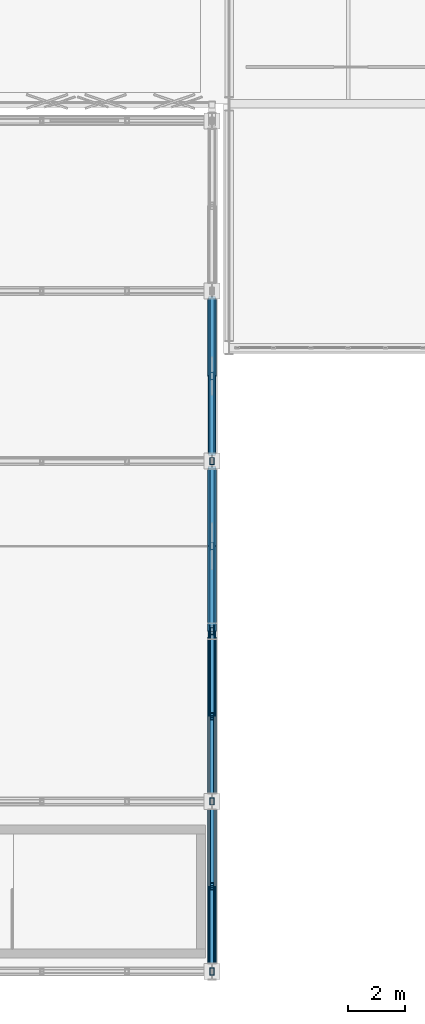
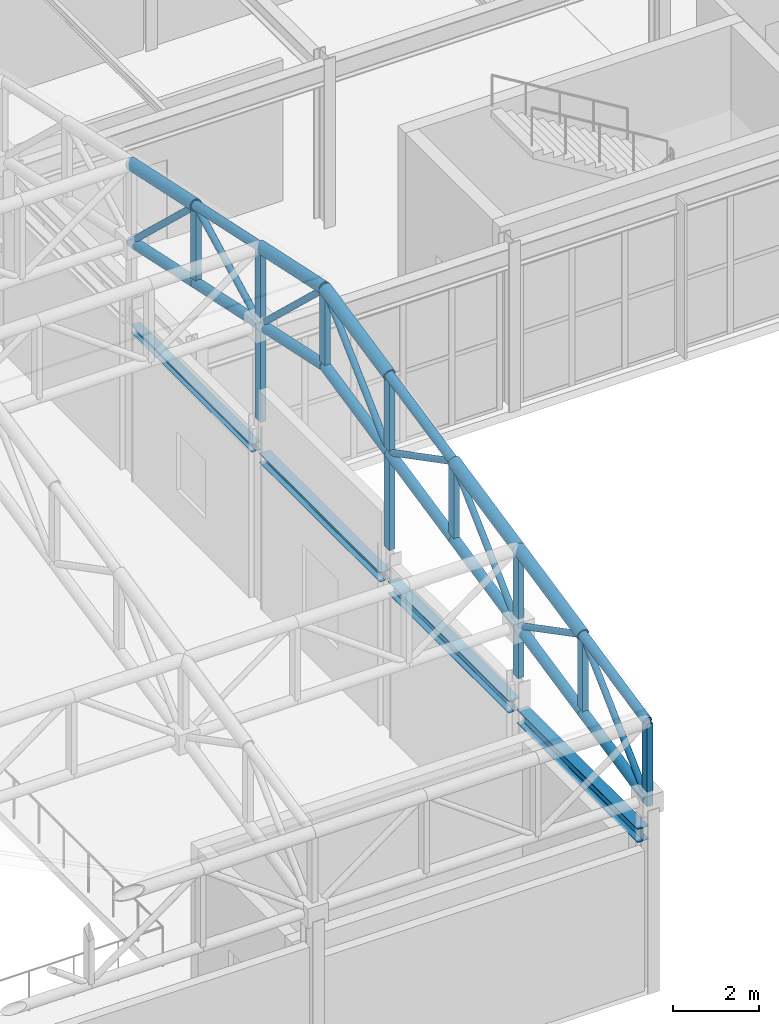
# One storey, part 24 of 112: 32 members, 4 beams.
"""IFC4 building model written with IfcOpenShell, lengths in metres."""

import ifcopenshell
import ifcopenshell.guid

model = None  # the IFC model being written
_history = None  # IfcOwnerHistory: only IFC2X3 demands one
_inside = {}  # id of a spatial element -> (the spatial element, [elements in it])
_under = {}  # id of a project, library or spatial element -> (it, [spatial elements below it])
_declared = {}  # id of a project -> (the project, [libraries it declares])
_typed = {}  # id of a type object -> (the type object, [elements of that type])
_made_of = {}  # id of a material, layer set ... -> (it, [elements and type objects made of it])


def new_model(schema):
    """Start an empty IFC model of exactly this schema.

    Asked for "IFC4X3", IfcOpenShell would pick the latest addendum, in which some entities
    have other attributes; the version numbers below select the first issue.
    IFC2X3 requires an IfcOwnerHistory on every rooted entity: one is made here for all.
    """
    global model, _history
    if schema == "IFC4X3":
        model = ifcopenshell.file(schema_version=(4, 3, 0, 0))
    else:
        model = ifcopenshell.file(schema=schema)
    _inside.clear()
    _under.clear()
    _declared.clear()
    _typed.clear()
    _made_of.clear()
    _history = None
    if model.schema == "IFC2X3":
        org = make("IfcOrganization", Name="unknown")
        user = make(
            "IfcPersonAndOrganization",
            ThePerson=make("IfcPerson", FamilyName="unknown"),
            TheOrganization=org,
        )
        app = make(
            "IfcApplication",
            ApplicationDeveloper=org,
            Version="unknown",
            ApplicationFullName="unknown",
            ApplicationIdentifier="unknown",
        )
        _history = make(
            "IfcOwnerHistory",
            OwningUser=user,
            OwningApplication=app,
            ChangeAction="ADDED",
            CreationDate=0,
        )
    return model


def make(cls, **values):
    """One entity of the class cls with the attributes given. An attribute that is None is left unset."""
    return model.create_entity(
        cls, **{name: value for name, value in values.items() if value is not None}
    )


def rooted(cls, **values):
    """An entity with a GlobalId (a new one), such as an element, a storey or a relation."""
    return make(cls, GlobalId=ifcopenshell.guid.new(), OwnerHistory=_history, **values)


def si_unit(unit_type, name, prefix=None):
    """IfcSIUnit, for example si_unit("LENGTHUNIT", "METRE", prefix="MILLI")."""
    return make("IfcSIUnit", UnitType=unit_type, Prefix=prefix, Name=name)


def assignment(units):
    """IfcUnitAssignment: the units of a project."""
    return None if units is None else make("IfcUnitAssignment", Units=units)


def point(xyz):
    """IfcCartesianPoint."""
    return None if xyz is None else make("IfcCartesianPoint", Coordinates=xyz)


def direction(xyz):
    """IfcDirection."""
    return None if xyz is None else make("IfcDirection", DirectionRatios=xyz)


def frame(location, z_axis=None, x_axis=None):
    """IfcAxis2Placement3D, a coordinate frame: its origin and axes. An axis left out is left unset."""
    return make(
        "IfcAxis2Placement3D",
        Location=point(location),
        Axis=direction(z_axis),
        RefDirection=direction(x_axis),
    )


def frame_2d(location, x_axis=None):
    """IfcAxis2Placement2D, a coordinate frame in the plane: its origin and x axis."""
    return make(
        "IfcAxis2Placement2D", Location=point(location), RefDirection=direction(x_axis)
    )


def origin():
    """The frame at (0, 0, 0) with its axes left unset."""
    return frame((0.0, 0.0, 0.0))


def origin_2d():
    """The frame at (0, 0) in the plane with its x axis left unset."""
    return frame_2d((0.0, 0.0))


def place(relative_to, where):
    """IfcLocalPlacement: puts the frame where relative to a parent placement (None: the world)."""
    return make(
        "IfcLocalPlacement", PlacementRelTo=relative_to, RelativePlacement=where
    )


def context(
    kind, dimensions, precision=None, world=None, true_north=None, identifier=None
):
    """IfcGeometricRepresentationContext, for example the 3D "Model" context."""
    return make(
        "IfcGeometricRepresentationContext",
        ContextIdentifier=identifier,
        ContextType=kind,
        CoordinateSpaceDimension=dimensions,
        Precision=precision,
        WorldCoordinateSystem=world,
        TrueNorth=true_north,
    )


def subcontext(parent, identifier, kind, view, scale=None):
    """IfcGeometricRepresentationSubContext, for example "Body" below "Model"."""
    return make(
        "IfcGeometricRepresentationSubContext",
        ContextIdentifier=identifier,
        ContextType=kind,
        ParentContext=parent,
        TargetScale=scale,
        TargetView=view,
    )


def project(units=None, contexts=None):
    """IfcProject with its units and contexts."""
    return rooted(
        "IfcProject",
        Name="project",
        RepresentationContexts=contexts,
        UnitsInContext=assignment(units),
    )


def spatial(cls, under=None, at=None, **own):
    """A site, building, storey or space (cls), placed at a placement, below another one or the project."""
    s = rooted(cls, ObjectPlacement=at, **own)
    if under is not None:
        _under.setdefault(under.id(), (under, []))[1].append(s)
    return s


def profile(cls, at=None, kind="AREA", **sizes):
    """A parametric profile (cls). Its sizes go by their IFC names, for example OverallWidth=200.0."""
    return make(cls, ProfileType=kind, Position=at, **sizes)


def hollow_rectangle(**sizes):
    """IfcRectangleHollowProfileDef."""
    return profile("IfcRectangleHollowProfileDef", **sizes)


def hollow_circle(**sizes):
    """IfcCircleHollowProfileDef."""
    return profile("IfcCircleHollowProfileDef", **sizes)


def i_section(**sizes):
    """IfcIShapeProfileDef."""
    return profile("IfcIShapeProfileDef", **sizes)


def extrude(swept, where, along, depth):
    """IfcExtrudedAreaSolid: the profile swept, set in the frame where, extruded along a direction by depth."""
    return make(
        "IfcExtrudedAreaSolid",
        SweptArea=swept,
        Position=where,
        ExtrudedDirection=direction(along),
        Depth=depth,
    )


def shape(context_of_items, identifier, shape_type, items):
    """IfcShapeRepresentation: the items that make up one representation, for example the "Body"."""
    return make(
        "IfcShapeRepresentation",
        ContextOfItems=context_of_items,
        RepresentationIdentifier=identifier,
        RepresentationType=shape_type,
        Items=items,
    )


def material(Name=None, Category=None):
    """IfcMaterial."""
    return make("IfcMaterial", Name=Name, Category=Category)


def material_profile(
    of_material, cross_section, Name=None, Category=None, Priority=None
):
    """IfcMaterialProfile: a cross section and its material."""
    return make(
        "IfcMaterialProfile",
        Name=Name,
        Material=of_material,
        Profile=cross_section,
        Priority=Priority,
        Category=Category,
    )


def profile_set(profiles, Name=None, composite=None):
    """IfcMaterialProfileSet."""
    return make(
        "IfcMaterialProfileSet",
        Name=Name,
        MaterialProfiles=profiles,
        CompositeProfile=composite,
    )


def made_of(thing, what):
    """Note that an element or type object is made of a material, layer set ...; save() writes the relation."""
    if what is not None:
        _made_of.setdefault(what.id(), (what, []))[1].append(thing)
    return thing


def type_object(cls, material=None, **own):
    """A type object (cls), such as IfcWallType, which elements share."""
    return made_of(rooted(cls, **own), material)


def element(
    cls,
    number,
    at=None,
    inside=None,
    cuts=None,
    type_object=None,
    material=None,
    context=None,
    identifier="Body",
    shape_type=None,
    held_by="IfcProductDefinitionShape",
    body=None,
    shapes=None,
    **own,
):
    """One element of the class cls, such as IfcWall. Its Tag is "e" and its number.

    at: its placement. inside: the storey or other place that contains it. cuts: it is an
    opening in that element (IfcRelVoidsElement). A single representation is given by context,
    identifier, shape_type and body (its items); several are given by shapes. held_by: the class
    of the entity that holds the representations. save() writes the other relations.
    """
    e = rooted(cls, Tag="e%d" % number, ObjectPlacement=at, **own)
    if body is not None:
        shapes = [shape(context, identifier, shape_type, body)]
    if shapes is not None:
        e.Representation = make(held_by, Representations=shapes)
    if inside is not None:
        _inside.setdefault(inside.id(), (inside, []))[1].append(e)
    if cuts is not None:
        rooted(
            "IfcRelVoidsElement", RelatingBuildingElement=cuts, RelatedOpeningElement=e
        )
    if type_object is not None:
        _typed.setdefault(type_object.id(), (type_object, []))[1].append(e)
    return made_of(e, material)


def aggregate(whole, parts):
    """IfcRelAggregates: a whole, such as a stair, and the parts it consists of."""
    return rooted("IfcRelAggregates", RelatingObject=whole, RelatedObjects=parts)


def save(model, path):
    """Write the relations noted so far, then the file.

    IfcRelAggregates (storeys below a building ...), IfcRelContainedInSpatialStructure (elements
    in a storey), IfcRelDefinesByType, IfcRelAssociatesMaterial and IfcRelDeclares: one each for
    every whole, place, type object, material and project.
    """
    for whole, parts in _under.values():
        aggregate(whole, parts)
    for where, things in _inside.values():
        rooted(
            "IfcRelContainedInSpatialStructure",
            RelatedElements=things,
            RelatingStructure=where,
        )
    for kind, things in _typed.values():
        rooted("IfcRelDefinesByType", RelatedObjects=things, RelatingType=kind)
    for what, things in _made_of.values():
        rooted("IfcRelAssociatesMaterial", RelatedObjects=things, RelatingMaterial=what)
    for by, libraries in _declared.values():
        rooted("IfcRelDeclares", RelatingContext=by, RelatedDefinitions=libraries)
    model.write(path)


model = new_model("IFC4")

# Units and contexts
model_context = context("Model", 3, precision=1e-05, world=origin(), true_north=direction((0.0, 1.0)))
body_context = subcontext(model_context, "Body", "Model", "MODEL_VIEW")
ifc_project = project(units=[si_unit("LENGTHUNIT", "METRE"), si_unit("AREAUNIT", "SQUARE_METRE"), si_unit("VOLUMEUNIT", "CUBIC_METRE"), si_unit("PLANEANGLEUNIT", "RADIAN"), si_unit("MASSUNIT", "GRAM", prefix="KILO")], contexts=[model_context])

# Site, building, storey
site_placement = place(None, origin())
site = spatial("IfcSite", under=ifc_project, at=site_placement, CompositionType="ELEMENT")
building_placement = place(site_placement, origin())
building = spatial("IfcBuilding", under=site, at=building_placement, Name="Kaldris Quays Convention Centre", CompositionType="ELEMENT")
storey_placement = place(building_placement, frame((0.0, 0.0, 16.800048828125)))
storey = spatial("IfcBuildingStorey", under=building, at=storey_placement, Name="L03", CompositionType="ELEMENT", Elevation=16.800048828125)

# Beams
ifc_material_1 = material(Name="Steel S355J2", Category="steel")
ifc_material_profile_1 = material_profile(ifc_material_1, i_section(OverallWidth=0.300048828125, OverallDepth=0.389892578125, WebThickness=0.010986328125, FlangeThickness=0.01904296875, FilletRadius=0.027099609375, at=origin_2d()), Name="HEA 400")
ifc_profile_set_1 = profile_set([ifc_material_profile_1], Name="Steel S355J2")
beam_type_1 = type_object("IfcBeamType", Name="STRUCTURAL BEAM SP01", PredefinedType="SPANDREL", material=ifc_profile_set_1)
beam_1_placement = place(storey_placement, frame((83.0, 16.195068359375, 4.204833984375), z_axis=(0.0, 1.0, 0.0), x_axis=(-1.0, 0.0, 0.0)))
element("IfcBeam", 1, at=beam_1_placement, inside=storey, type_object=beam_type_1, Name="L03 Perimeter Wall-Bearing Spandrel SP01 73", PredefinedType="SPANDREL", context=body_context, shape_type="SweptSolid", body=[
    extrude(i_section(OverallWidth=0.300048828125, OverallDepth=0.389892578125, WebThickness=0.010986328125, FlangeThickness=0.01904296875, FilletRadius=0.027099609375, at=origin_2d()), origin(), (0.0, 0.0, 1.0), 5.60986328125),
])
ifc_material_profile_2 = material_profile(ifc_material_1, i_section(OverallWidth=0.300048828125, OverallDepth=0.35009765625, WebThickness=0.010009765625, FlangeThickness=0.017578125, FilletRadius=0.027099609375, at=origin_2d()), Name="HEA 360")
ifc_profile_set_2 = profile_set([ifc_material_profile_2], Name="Steel S355J2")
beam_type_2 = type_object("IfcBeamType", Name="STRUCTURAL BEAM SP02", PredefinedType="SPANDREL", material=ifc_profile_set_2)
beam_2_placement = place(storey_placement, frame((83.0, 22.195068359375, 4.224853515625), z_axis=(0.0, 1.0, 0.0), x_axis=(-1.0, 0.0, 0.0)))
element("IfcBeam", 2, at=beam_2_placement, inside=storey, type_object=beam_type_2, Name="L03 Perimeter Wall-Bearing Spandrel SP02 74", PredefinedType="SPANDREL", context=body_context, shape_type="SweptSolid", body=[
    extrude(i_section(OverallWidth=0.300048828125, OverallDepth=0.35009765625, WebThickness=0.010009765625, FlangeThickness=0.017578125, FilletRadius=0.027099609375, at=origin_2d()), origin(), (0.0, 0.0, 1.0), 5.60986328125),
])
ifc_material_profile_3 = material_profile(ifc_material_1, i_section(OverallWidth=0.280029296875, OverallDepth=0.27001953125, WebThickness=0.008056640625, FlangeThickness=0.012939453125, FilletRadius=0.02392578125, at=origin_2d()), Name="HEA 280")
ifc_profile_set_3 = profile_set([ifc_material_profile_3], Name="Steel S355J2")
beam_type_3 = type_object("IfcBeamType", Name="STRUCTURAL BEAM SP03", PredefinedType="SPANDREL", material=ifc_profile_set_3)
beam_3_placement = place(storey_placement, frame((83.0, 28.195068359375, 4.264892578125), z_axis=(0.0, 1.0, 0.0), x_axis=(-1.0, 0.0, 0.0)))
element("IfcBeam", 3, at=beam_3_placement, inside=storey, type_object=beam_type_3, Name="L03 Perimeter Wall-Bearing Spandrel SP03 75", PredefinedType="SPANDREL", context=body_context, shape_type="SweptSolid", body=[
    extrude(i_section(OverallWidth=0.280029296875, OverallDepth=0.27001953125, WebThickness=0.008056640625, FlangeThickness=0.012939453125, FilletRadius=0.02392578125, at=origin_2d()), origin(), (0.0, 0.0, 1.0), 5.60986328125),
])
ifc_material_profile_4 = material_profile(ifc_material_1, i_section(OverallWidth=0.239990234375, OverallDepth=0.22998046875, WebThickness=0.007568359375, FlangeThickness=0.011962890625, FilletRadius=0.02099609375, at=origin_2d()), Name="HEA 240")
ifc_profile_set_4 = profile_set([ifc_material_profile_4], Name="Steel S355J2")
beam_type_4 = type_object("IfcBeamType", Name="STRUCTURAL BEAM SP04", PredefinedType="SPANDREL", material=ifc_profile_set_4)
beam_4_placement = place(storey_placement, frame((83.0, 34.195068359375, 4.284912109375), z_axis=(0.0, 1.0, 0.0), x_axis=(-1.0, 0.0, 0.0)))
element("IfcBeam", 4, at=beam_4_placement, inside=storey, type_object=beam_type_4, Name="L03 Perimeter Wall-Bearing Spandrel SP04 76", PredefinedType="SPANDREL", context=body_context, shape_type="SweptSolid", body=[
    extrude(i_section(OverallWidth=0.239990234375, OverallDepth=0.22998046875, WebThickness=0.007568359375, FlangeThickness=0.011962890625, FilletRadius=0.02099609375, at=origin_2d()), origin(), (0.0, 0.0, 1.0), 5.60986328125),
])

# Members
ifc_material_2 = material(Name="Steel S355J2H", Category="steel")
ifc_material_profile_5 = material_profile(ifc_material_2, hollow_circle(Radius=0.161865234375, WallThickness=0.01611328125, at=origin_2d()), Name="CHS 323.9x16")
ifc_profile_set_5 = profile_set([ifc_material_profile_5], Name="Steel S355J2H")
member_type_1 = type_object("IfcMemberType", Name="STRUCTURAL MEMBER SC03", PredefinedType="CHORD", material=ifc_profile_set_5)
member_1_placement = place(storey_placement, frame((83.0, 19.0, 8.17041015625), z_axis=(0.0, 0.977983741211, 0.20868110103), x_axis=(-1.0, 0.0, 0.0)))
element("IfcMember", 5, at=member_1_placement, inside=storey, type_object=member_type_1, Name="SF-V3 Top Chord Y 177", PredefinedType="CHORD", context=body_context, shape_type="SweptSolid", body=[
    extrude(hollow_circle(Radius=0.161865234375, WallThickness=0.01611328125, at=origin_2d()), origin(), (0.0, 0.0, 1.0), 3.067626953125),
])
member_2_placement = place(storey_placement, frame((83.0, 22.0, 8.810546875), z_axis=(0.0, 0.977999981478, 0.208604976518), x_axis=(-1.0, 0.0, 0.0)))
element("IfcMember", 6, at=member_2_placement, inside=storey, type_object=member_type_1, Name="SF-V3 Top Chord Y 178", PredefinedType="CHORD", context=body_context, shape_type="SweptSolid", body=[
    extrude(hollow_circle(Radius=0.161865234375, WallThickness=0.01611328125, at=origin_2d()), origin(), (0.0, 0.0, 1.0), 3.0673828125),
])
for number, where, z_axis, x_axis, name in (
    (7, (83.0, 28.0, 10.09033203125), (0.0, 0.977983741211, 0.20868110103), (-1.0, 0.0, 0.0), "SF-V3 Top Chord Y 180"),
    (8, (83.0, 31.0, 10.73046875), (0.0, 0.977983741211, -0.20868110103), (-1.0, 0.0, 0.0), "SF-V3 Top Chord Y 181"),
):
    element("IfcMember", number, at=place(storey_placement, frame(where, z_axis=z_axis, x_axis=x_axis)), inside=storey, type_object=member_type_1, Name=name, PredefinedType="CHORD", context=body_context, shape_type="SweptSolid", body=[
        extrude(hollow_circle(Radius=0.161865234375, WallThickness=0.01611328125, at=origin_2d()), origin(), (0.0, 0.0, 1.0), 3.067626953125),
    ])
member_3_placement = place(storey_placement, frame((83.0, 37.0, 9.450439453125), z_axis=(0.0, 0.977999981478, -0.208604976518), x_axis=(-1.0, 0.0, 0.0)))
element("IfcMember", 9, at=member_3_placement, inside=storey, type_object=member_type_1, Name="SF-V3 Top Chord Y 183", PredefinedType="CHORD", context=body_context, shape_type="SweptSolid", body=[
    extrude(hollow_circle(Radius=0.161865234375, WallThickness=0.01611328125, at=origin_2d()), origin(), (0.0, 0.0, 1.0), 3.0673828125),
])
ifc_material_profile_6 = material_profile(ifc_material_2, hollow_circle(Radius=0.136474609375, WallThickness=0.012451171875, at=origin_2d()), Name="CHS 273x12.5")
ifc_profile_set_6 = profile_set([ifc_material_profile_6], Name="Steel S355J2H")
member_type_2 = type_object("IfcMemberType", Name="STRUCTURAL MEMBER SC04", PredefinedType="CHORD", material=ifc_profile_set_6)
for number, where, z_axis, x_axis, name in (
    (10, (83.0, 16.0, 5.33056640625), (0.0, 0.977999981478, 0.208604976518), (-1.0, 0.0, 0.0), "SF-V3 Bottom Chord Y 176"),
    (11, (83.0, 19.0, 5.970458984375), (0.0, 0.977999981478, 0.208604976518), (-1.0, 0.0, 0.0), "SF-V3 Bottom Chord Y 177"),
):
    element("IfcMember", number, at=place(storey_placement, frame(where, z_axis=z_axis, x_axis=x_axis)), inside=storey, type_object=member_type_2, Name=name, PredefinedType="CHORD", context=body_context, shape_type="SweptSolid", body=[
        extrude(hollow_circle(Radius=0.136474609375, WallThickness=0.012451171875, at=origin_2d()), origin(), (0.0, 0.0, 1.0), 3.0673828125),
    ])
member_4_placement = place(storey_placement, frame((83.0, 22.0, 6.6103515625), z_axis=(0.0, 0.977983741211, 0.20868110103), x_axis=(-1.0, 0.0, 0.0)))
element("IfcMember", 12, at=member_4_placement, inside=storey, type_object=member_type_2, Name="SF-V3 Bottom Chord Y 178", PredefinedType="CHORD", context=body_context, shape_type="SweptSolid", body=[
    extrude(hollow_circle(Radius=0.136474609375, WallThickness=0.012451171875, at=origin_2d()), origin(), (0.0, 0.0, 1.0), 3.067626953125),
])
member_5_placement = place(storey_placement, frame((83.0, 25.0, 7.25048828125), z_axis=(0.0, 0.977999981478, 0.208604976518), x_axis=(-1.0, 0.0, 0.0)))
element("IfcMember", 13, at=member_5_placement, inside=storey, type_object=member_type_2, Name="SF-V3 Bottom Chord Y 179", PredefinedType="CHORD", context=body_context, shape_type="SweptSolid", body=[
    extrude(hollow_circle(Radius=0.136474609375, WallThickness=0.012451171875, at=origin_2d()), origin(), (0.0, 0.0, 1.0), 3.0673828125),
])
for number, where, z_axis, x_axis, name in (
    (14, (83.0, 28.0, 7.890380859375), (0.0, 0.977983741211, 0.20868110103), (-1.0, 0.0, 0.0), "SF-V3 Bottom Chord Y 180"),
    (15, (83.0, 31.0, 8.530517578125), (0.0, 0.977983741211, -0.20868110103), (-1.0, 0.0, 0.0), "SF-V3 Bottom Chord Y 181"),
):
    element("IfcMember", number, at=place(storey_placement, frame(where, z_axis=z_axis, x_axis=x_axis)), inside=storey, type_object=member_type_2, Name=name, PredefinedType="CHORD", context=body_context, shape_type="SweptSolid", body=[
        extrude(hollow_circle(Radius=0.136474609375, WallThickness=0.012451171875, at=origin_2d()), origin(), (0.0, 0.0, 1.0), 3.067626953125),
    ])
member_6_placement = place(storey_placement, frame((83.0, 34.0, 7.890380859375), z_axis=(0.0, 0.977999981478, -0.208604976518), x_axis=(-1.0, 0.0, 0.0)))
element("IfcMember", 16, at=member_6_placement, inside=storey, type_object=member_type_2, Name="SF-V3 Bottom Chord Y 182", PredefinedType="CHORD", context=body_context, shape_type="SweptSolid", body=[
    extrude(hollow_circle(Radius=0.136474609375, WallThickness=0.012451171875, at=origin_2d()), origin(), (0.0, 0.0, 1.0), 3.0673828125),
])
member_7_placement = place(storey_placement, frame((83.0, 37.0, 7.25048828125), z_axis=(0.0, 0.977983741211, -0.20868110103), x_axis=(-1.0, 0.0, 0.0)))
element("IfcMember", 17, at=member_7_placement, inside=storey, type_object=member_type_2, Name="SF-V3 Bottom Chord Y 183", PredefinedType="CHORD", context=body_context, shape_type="SweptSolid", body=[
    extrude(hollow_circle(Radius=0.136474609375, WallThickness=0.012451171875, at=origin_2d()), origin(), (0.0, 0.0, 1.0), 3.067626953125),
])
ifc_material_profile_7 = material_profile(ifc_material_2, hollow_circle(Radius=0.122314453125, WallThickness=0.010009765625, at=origin_2d()), Name="CHS 244.5x10")
ifc_profile_set_7 = profile_set([ifc_material_profile_7], Name="Steel S355J2H")
member_type_3 = type_object("IfcMemberType", Name="STRUCTURAL MEMBER SC05", PredefinedType="CHORD", material=ifc_profile_set_7)
for number, where, z_axis, x_axis, name in (
    (18, (83.0, 16.0, 7.530517578125), (0.0, 0.977999981478, 0.208604976518), (-1.0, 0.0, 0.0), "SF-V3 Top Chord Y 176"),
    (19, (83.0, 25.0, 9.450439453125), (0.0, 0.977999981478, 0.208604976518), (-1.0, 0.0, 0.0), "SF-V3 Top Chord Y 179"),
    (20, (83.0, 34.0, 10.09033203125), (0.0, 0.977999981478, -0.208604976518), (-1.0, 0.0, 0.0), "SF-V3 Top Chord Y 182"),
):
    element("IfcMember", number, at=place(storey_placement, frame(where, z_axis=z_axis, x_axis=x_axis)), inside=storey, type_object=member_type_3, Name=name, PredefinedType="CHORD", context=body_context, shape_type="SweptSolid", body=[
        extrude(hollow_circle(Radius=0.122314453125, WallThickness=0.010009765625, at=origin_2d()), origin(), (0.0, 0.0, 1.0), 3.0673828125),
    ])
ifc_material_profile_8 = material_profile(ifc_material_2, hollow_circle(Radius=0.084228515625, WallThickness=0.008056640625, at=origin_2d()), Name="CHS 168.3x8")
ifc_profile_set_8 = profile_set([ifc_material_profile_8], Name="Steel S355J2H")
member_type_4 = type_object("IfcMemberType", Name="STRUCTURAL MEMBER SWB2", PredefinedType="BRACE", material=ifc_profile_set_8)
member_8_placement = place(storey_placement, frame((83.0, 16.0, 5.33056640625), z_axis=(0.0, 0.72622595523, 0.687456080016), x_axis=(-1.0, 0.0, 0.0)))
element("IfcMember", 21, at=member_8_placement, inside=storey, type_object=member_type_4, Name="SF-V3 Web Diagonal Y 176", PredefinedType="BRACE", context=body_context, shape_type="SweptSolid", body=[
    extrude(hollow_circle(Radius=0.084228515625, WallThickness=0.008056640625, at=origin_2d()), origin(), (0.0, 0.0, 1.0), 4.130859375),
])
member_9_placement = place(storey_placement, frame((83.0, 22.0, 6.6103515625), z_axis=(0.0, -0.887209708306, 0.461366376634), x_axis=(1.0, 0.0, 0.0)))
element("IfcMember", 22, at=member_9_placement, inside=storey, type_object=member_type_4, Name="SF-V3 Web Diagonal Y 177", PredefinedType="BRACE", context=body_context, shape_type="SweptSolid", body=[
    extrude(hollow_circle(Radius=0.084228515625, WallThickness=0.008056640625, at=origin_2d()), origin(), (0.0, 0.0, 1.0), 3.38134765625),
])
member_10_placement = place(storey_placement, frame((83.0, 22.0, 6.6103515625), z_axis=(0.0, 0.726196449967, 0.687487247922), x_axis=(-1.0, 0.0, 0.0)))
element("IfcMember", 23, at=member_10_placement, inside=storey, type_object=member_type_4, Name="SF-V3 Web Diagonal Y 178", PredefinedType="BRACE", context=body_context, shape_type="SweptSolid", body=[
    extrude(hollow_circle(Radius=0.084228515625, WallThickness=0.008056640625, at=origin_2d()), origin(), (0.0, 0.0, 1.0), 4.131103515625),
])
member_11_placement = place(storey_placement, frame((83.0, 28.0, 7.890380859375), z_axis=(0.0, -0.887209708306, 0.461366376634), x_axis=(1.0, 0.0, 0.0)))
element("IfcMember", 24, at=member_11_placement, inside=storey, type_object=member_type_4, Name="SF-V3 Web Diagonal Y 179", PredefinedType="BRACE", context=body_context, shape_type="SweptSolid", body=[
    extrude(hollow_circle(Radius=0.084228515625, WallThickness=0.008056640625, at=origin_2d()), origin(), (0.0, 0.0, 1.0), 3.38134765625),
])
for number, where, z_axis, x_axis, name in (
    (25, (83.0, 28.0, 7.890380859375), (0.0, 0.726196449967, 0.687487247922), (-1.0, 0.0, 0.0), "SF-V3 Web Diagonal Y 180"),
    (26, (83.0, 34.0, 7.890380859375), (0.0, -0.726196449967, 0.687487247922), (1.0, 0.0, 0.0), "SF-V3 Web Diagonal Y 181"),
):
    element("IfcMember", number, at=place(storey_placement, frame(where, z_axis=z_axis, x_axis=x_axis)), inside=storey, type_object=member_type_4, Name=name, PredefinedType="BRACE", context=body_context, shape_type="SweptSolid", body=[
        extrude(hollow_circle(Radius=0.084228515625, WallThickness=0.008056640625, at=origin_2d()), origin(), (0.0, 0.0, 1.0), 4.131103515625),
    ])
member_12_placement = place(storey_placement, frame((83.0, 34.0, 7.890380859375), z_axis=(0.0, 0.887209708306, 0.461366376634), x_axis=(-1.0, 0.0, 0.0)))
element("IfcMember", 27, at=member_12_placement, inside=storey, type_object=member_type_4, Name="SF-V3 Web Diagonal Y 182", PredefinedType="BRACE", context=body_context, shape_type="SweptSolid", body=[
    extrude(hollow_circle(Radius=0.084228515625, WallThickness=0.008056640625, at=origin_2d()), origin(), (0.0, 0.0, 1.0), 3.38134765625),
])
member_13_placement = place(storey_placement, frame((83.0, 40.0, 6.6103515625), z_axis=(0.0, -0.726196449967, 0.687487247922), x_axis=(1.0, 0.0, 0.0)))
element("IfcMember", 28, at=member_13_placement, inside=storey, type_object=member_type_4, Name="SF-V3 Web Diagonal Y 183", PredefinedType="BRACE", context=body_context, shape_type="SweptSolid", body=[
    extrude(hollow_circle(Radius=0.084228515625, WallThickness=0.008056640625, at=origin_2d()), origin(), (0.0, 0.0, 1.0), 4.131103515625),
])
ifc_material_profile_9 = material_profile(ifc_material_2, hollow_rectangle(XDim=0.14990234375, YDim=0.25, WallThickness=0.010009765625, at=origin_2d()), Name="RHS 250x150x10")
ifc_profile_set_9 = profile_set([ifc_material_profile_9], Name="Steel S355J2H")
member_type_5 = type_object("IfcMemberType", Name="STRUCTURAL MEMBER TTV1", PredefinedType="POST", material=ifc_profile_set_9)
member_14_placement = place(storey_placement, frame((83.0, 16.0, 5.19384765625), z_axis=(0.0, 0.0, 1.0), x_axis=(1.0, 0.0, 0.0)))
element("IfcMember", 29, at=member_14_placement, inside=storey, type_object=member_type_5, Name="SF-V3 Space-Frame Post 148", PredefinedType="POST", context=body_context, shape_type="SweptSolid", body=[
    extrude(hollow_rectangle(XDim=0.14990234375, YDim=0.25, WallThickness=0.010009765625, at=origin_2d()), origin(), (0.0, 0.0, 1.0), 2.336669921875),
])
member_15_placement = place(storey_placement, frame((83.0, 19.0, 5.970458984375), z_axis=(0.0, 0.0, 1.0), x_axis=(1.0, 0.0, 0.0)))
element("IfcMember", 30, at=member_15_placement, inside=storey, type_object=member_type_5, Name="SF-V3 Space-Frame Post 149", PredefinedType="POST", context=body_context, shape_type="SweptSolid", body=[
    extrude(hollow_rectangle(XDim=0.14990234375, YDim=0.25, WallThickness=0.010009765625, at=origin_2d()), origin(), (0.0, 0.0, 1.0), 2.199951171875),
])
member_16_placement = place(storey_placement, frame((83.0, 22.0, 5.19384765625), z_axis=(0.0, 0.0, 1.0), x_axis=(1.0, 0.0, 0.0)))
element("IfcMember", 31, at=member_16_placement, inside=storey, type_object=member_type_5, Name="SF-V3 Space-Frame Post 150", PredefinedType="POST", context=body_context, shape_type="SweptSolid", body=[
    extrude(hollow_rectangle(XDim=0.14990234375, YDim=0.25, WallThickness=0.010009765625, at=origin_2d()), origin(), (0.0, 0.0, 1.0), 3.61669921875),
])
member_17_placement = place(storey_placement, frame((83.0, 25.0, 7.25048828125), z_axis=(0.0, 0.0, 1.0), x_axis=(1.0, 0.0, 0.0)))
element("IfcMember", 32, at=member_17_placement, inside=storey, type_object=member_type_5, Name="SF-V3 Space-Frame Post 151", PredefinedType="POST", context=body_context, shape_type="SweptSolid", body=[
    extrude(hollow_rectangle(XDim=0.14990234375, YDim=0.25, WallThickness=0.010009765625, at=origin_2d()), origin(), (0.0, 0.0, 1.0), 2.199951171875),
])
member_18_placement = place(storey_placement, frame((83.0, 28.0, 5.19384765625), z_axis=(0.0, 0.0, 1.0), x_axis=(1.0, 0.0, 0.0)))
element("IfcMember", 33, at=member_18_placement, inside=storey, type_object=member_type_5, Name="SF-V3 Space-Frame Post 152", PredefinedType="POST", context=body_context, shape_type="SweptSolid", body=[
    extrude(hollow_rectangle(XDim=0.14990234375, YDim=0.25, WallThickness=0.010009765625, at=origin_2d()), origin(), (0.0, 0.0, 1.0), 4.896484375),
])
member_19_placement = place(storey_placement, frame((83.0, 31.0, 8.530517578125), z_axis=(0.0, 0.0, 1.0), x_axis=(1.0, 0.0, 0.0)))
element("IfcMember", 34, at=member_19_placement, inside=storey, type_object=member_type_5, Name="SF-V3 Space-Frame Post 153", PredefinedType="POST", context=body_context, shape_type="SweptSolid", body=[
    extrude(hollow_rectangle(XDim=0.14990234375, YDim=0.25, WallThickness=0.010009765625, at=origin_2d()), origin(), (0.0, 0.0, 1.0), 2.199951171875),
])
member_20_placement = place(storey_placement, frame((83.0, 34.0, 5.19384765625), z_axis=(0.0, 0.0, 1.0), x_axis=(1.0, 0.0, 0.0)))
element("IfcMember", 35, at=member_20_placement, inside=storey, type_object=member_type_5, Name="SF-V3 Space-Frame Post 154", PredefinedType="POST", context=body_context, shape_type="SweptSolid", body=[
    extrude(hollow_rectangle(XDim=0.14990234375, YDim=0.25, WallThickness=0.010009765625, at=origin_2d()), origin(), (0.0, 0.0, 1.0), 4.896484375),
])
member_21_placement = place(storey_placement, frame((83.0, 37.0, 7.25048828125), z_axis=(0.0, 0.0, 1.0), x_axis=(1.0, 0.0, 0.0)))
element("IfcMember", 36, at=member_21_placement, inside=storey, type_object=member_type_5, Name="SF-V3 Space-Frame Post 155", PredefinedType="POST", context=body_context, shape_type="SweptSolid", body=[
    extrude(hollow_rectangle(XDim=0.14990234375, YDim=0.25, WallThickness=0.010009765625, at=origin_2d()), origin(), (0.0, 0.0, 1.0), 2.199951171875),
])

save(model, "model.ifc")
